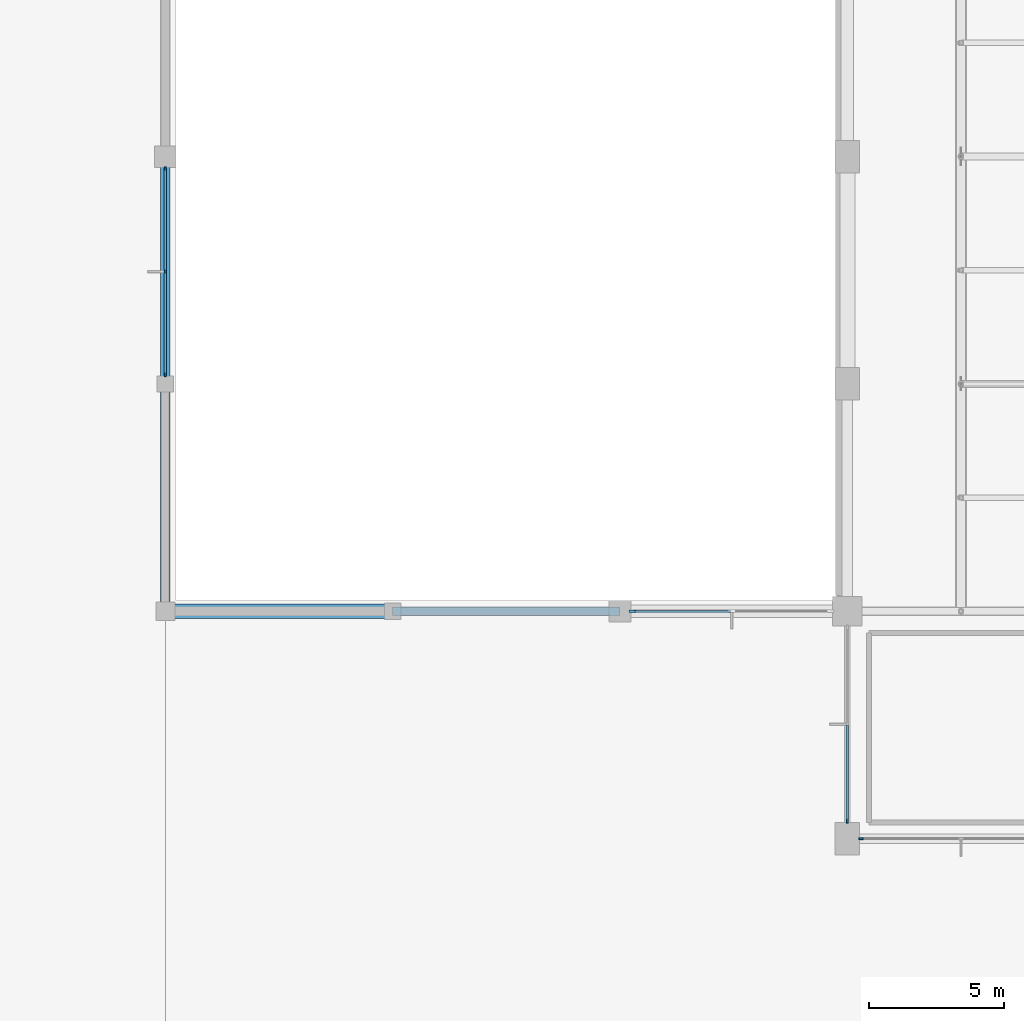
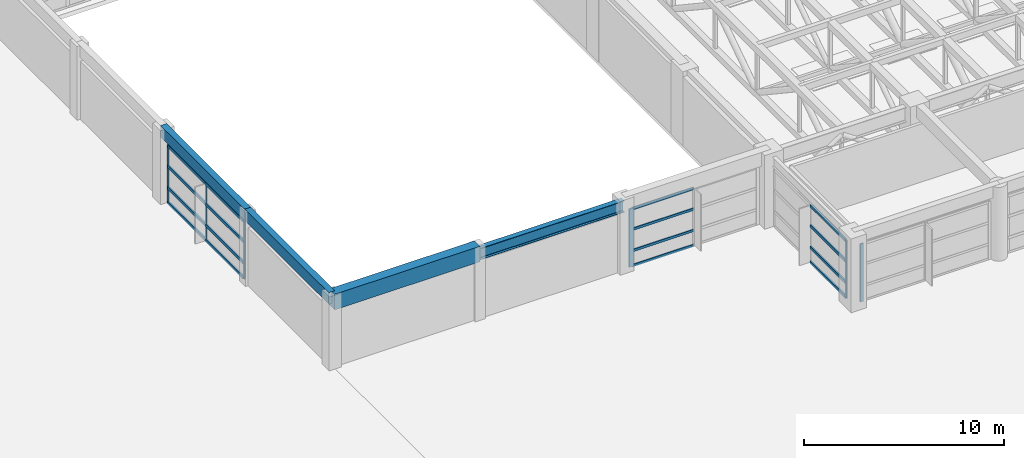
# One storey, part 8 of 47: 22 members, 4 beams, 4 elements without a shape of their own.
"""IFC4 building model written with IfcOpenShell, lengths in metres."""

from ifc_helpers import new_model, si_unit, direction, frame, origin, origin_2d, place, context, subcontext, project, spatial, rectangle, i_section, extrude, material, material_profile, profile_set, type_object, element, aggregate, save


model = new_model("IFC4")

# Units and contexts
model_context = context("Model", 3, precision=1e-05, world=origin(), true_north=direction((0.0, 1.0)))
body_context = subcontext(model_context, "Body", "Model", "MODEL_VIEW")
ifc_project = project(units=[si_unit("LENGTHUNIT", "METRE"), si_unit("AREAUNIT", "SQUARE_METRE"), si_unit("VOLUMEUNIT", "CUBIC_METRE"), si_unit("PLANEANGLEUNIT", "RADIAN"), si_unit("MASSUNIT", "GRAM", prefix="KILO")], contexts=[model_context])

# Site, building, storey
site_placement = place(None, origin())
site = spatial("IfcSite", under=ifc_project, at=site_placement, CompositionType="ELEMENT")
building_placement = place(site_placement, origin())
building = spatial("IfcBuilding", under=site, at=building_placement, Name="Xuanlan Plaza Opera House", CompositionType="ELEMENT")
storey_placement = place(building_placement, frame((0.0, 0.0, 23.39990234375)))
storey = spatial("IfcBuildingStorey", under=building, at=storey_placement, Name="L05", CompositionType="ELEMENT", Elevation=23.39990234375)

# Curtain wall, member
ifc_material_1 = material(Name="Anodised Aluminium 6063-T6 and Low-E Glass", Category="aluminium")
curtain_wall_type_1 = type_object("IfcCurtainWallType", Name="ENV-CW-CW-05", PredefinedType="USERDEFINED", material=ifc_material_1)
curtain_wall_1_placement = place(storey_placement, origin())
curtain_wall_1 = element("IfcCurtainWall", 1, at=curtain_wall_1_placement, inside=storey, type_object=curtain_wall_type_1, Name="Acoustic Glazed Wall L05-004", ObjectType="ACOUSTIC GLAZED WALL", PredefinedType="USERDEFINED")
ifc_material_2 = material(Name="Anodised Aluminium 6063-T6", Category="aluminium")
ifc_material_profile_1 = material_profile(ifc_material_2, rectangle(XDim=0.06494140625, YDim=0.159912109375, at=origin_2d()), Name="ALU-M 65x160")
ifc_profile_set_1 = profile_set([ifc_material_profile_1], Name="Anodised Aluminium 6063-T6")
member_type_1 = type_object("IfcMemberType", Name="ENV-CWM-01", PredefinedType="MULLION", material=ifc_profile_set_1)
member_1_placement = place(storey_placement, frame((67.199951171875, 34.25244140625, 0.0), z_axis=(0.0, 0.0, 1.0), x_axis=(1.0, 0.0, 0.0)))
member_1 = element("IfcMember", 2, at=member_1_placement, type_object=member_type_1, Name="CW-05 mullion 3", PredefinedType="MULLION", context=body_context, shape_type="SweptSolid", body=[
    extrude(rectangle(XDim=0.06494140625, YDim=0.159912109375, at=origin_2d()), origin(), (0.0, 0.0, 1.0), 3.5400390625),
])

# Curtain wall, members
curtain_wall_type_2 = type_object("IfcCurtainWallType", Name="ENV-CW-CW-02", PredefinedType="USERDEFINED", material=ifc_material_1)
curtain_wall_2_placement = place(storey_placement, origin())
curtain_wall_2 = element("IfcCurtainWall", 3, at=curtain_wall_2_placement, inside=storey, type_object=curtain_wall_type_2, Name="Unitised Curtain Wall L05-039", ObjectType="UNITISED CURTAIN WALL", PredefinedType="USERDEFINED")
member_2_placement = place(storey_placement, frame((42.0, 58.347412109375, 0.0), z_axis=(0.0, 0.0, 1.0), x_axis=(1.0, 0.0, 0.0)))
member_2 = element("IfcMember", 4, at=member_2_placement, type_object=member_type_1, Name="CW-02 mullion 1", PredefinedType="MULLION", context=body_context, shape_type="SweptSolid", body=[
    extrude(rectangle(XDim=0.06494140625, YDim=0.159912109375, at=origin_2d()), origin(), (0.0, 0.0, 1.0), 3.5400390625),
])
member_3_placement = place(storey_placement, frame((42.0, 54.550048828125, 0.0), z_axis=(0.0, 0.0, 1.0), x_axis=(1.0, 0.0, 0.0)))
member_3 = element("IfcMember", 5, at=member_3_placement, type_object=member_type_1, Name="CW-02 mullion 2", PredefinedType="MULLION", context=body_context, shape_type="SweptSolid", body=[
    extrude(rectangle(XDim=0.06494140625, YDim=0.159912109375, at=origin_2d()), origin(), (0.0, 0.0, 1.0), 3.5400390625),
])
member_4_placement = place(storey_placement, frame((42.0, 50.75244140625, 0.0), z_axis=(0.0, 0.0, 1.0), x_axis=(1.0, 0.0, 0.0)))
member_4 = element("IfcMember", 6, at=member_4_placement, type_object=member_type_1, Name="CW-02 mullion 3", PredefinedType="MULLION", context=body_context, shape_type="SweptSolid", body=[
    extrude(rectangle(XDim=0.06494140625, YDim=0.159912109375, at=origin_2d()), origin(), (0.0, 0.0, 1.0), 3.5400390625),
])

# Curtain wall, member
curtain_wall_type_3 = type_object("IfcCurtainWallType", Name="ENV-CW-CW-06", PredefinedType="USERDEFINED", material=ifc_material_1)
curtain_wall_3_placement = place(storey_placement, origin())
curtain_wall_3 = element("IfcCurtainWall", 7, at=curtain_wall_3_placement, inside=storey, type_object=curtain_wall_type_3, Name="Acoustic Glazed Wall L05-005", ObjectType="ACOUSTIC GLAZED WALL", PredefinedType="USERDEFINED")
ifc_material_profile_2 = material_profile(ifc_material_2, rectangle(XDim=0.070068359375, YDim=0.179931640625, at=origin_2d()), Name="ALU-M 70x180")
ifc_profile_set_2 = profile_set([ifc_material_profile_2], Name="Anodised Aluminium 6063-T6")
member_type_2 = type_object("IfcMemberType", Name="ENV-CWM-02", PredefinedType="MULLION", material=ifc_profile_set_2)
member_5_placement = place(storey_placement, frame((67.705078125, 33.60009765625, 0.0), z_axis=(0.0, 0.0, 1.0), x_axis=(0.0, 1.0, 0.0)))
member_5 = element("IfcMember", 8, at=member_5_placement, type_object=member_type_2, Name="CW-06 mullion 1", PredefinedType="MULLION", context=body_context, shape_type="SweptSolid", body=[
    extrude(rectangle(XDim=0.070068359375, YDim=0.179931640625, at=origin_2d()), origin(), (0.0, 0.0, 1.0), 3.5400390625),
])
aggregate(curtain_wall_3, [member_5])

# Curtain wall, members
curtain_wall_4_placement = place(storey_placement, origin())
curtain_wall_4 = element("IfcCurtainWall", 9, at=curtain_wall_4_placement, inside=storey, type_object=curtain_wall_type_3, Name="Acoustic Glazed Wall L05-003", ObjectType="ACOUSTIC GLAZED WALL", PredefinedType="USERDEFINED")
ifc_material_profile_3 = material_profile(ifc_material_2, rectangle(XDim=0.090087890625, YDim=0.25, at=origin_2d()), Name="ALU-M 90x250")
ifc_profile_set_3 = profile_set([ifc_material_profile_3], Name="Anodised Aluminium 6063-T6")
member_type_3 = type_object("IfcMemberType", Name="ENV-CWM-05", PredefinedType="MULLION", material=ifc_profile_set_3)
member_6_placement = place(storey_placement, frame((59.264892578125, 42.0, 0.0), z_axis=(0.0, 0.0, 1.0), x_axis=(0.0, 1.0, 0.0)))
member_6 = element("IfcMember", 10, at=member_6_placement, type_object=member_type_3, Name="CW-06 mullion 1", PredefinedType="MULLION", context=body_context, shape_type="SweptSolid", body=[
    extrude(rectangle(XDim=0.090087890625, YDim=0.25, at=origin_2d()), origin(), (0.0, 0.0, 1.0), 3.5400390625),
])
ifc_material_profile_4 = material_profile(ifc_material_2, rectangle(XDim=0.074951171875, YDim=0.14990234375, at=origin_2d()), Name="ALU-T 75x150")
ifc_profile_set_4 = profile_set([ifc_material_profile_4], Name="Anodised Aluminium 6063-T6")
member_type_4 = type_object("IfcMemberType", Name="ENV-CWT-03", PredefinedType="USERDEFINED", material=ifc_profile_set_4)
member_7_placement = place(storey_placement, frame((59.31005859375, 42.0, 0.03759765625), z_axis=(1.0, 0.0, 0.0), x_axis=(0.0, 1.0, 0.0)))
member_7 = element("IfcMember", 11, at=member_7_placement, type_object=member_type_4, Name="CW-06 transom 1.1", ObjectType="TRANSOM", PredefinedType="USERDEFINED", context=body_context, shape_type="SweptSolid", body=[
    extrude(rectangle(XDim=0.074951171875, YDim=0.14990234375, at=origin_2d()), origin(), (0.0, 0.0, 1.0), 3.56982421875),
])
member_8_placement = place(storey_placement, frame((59.31005859375, 42.0, 0.9501953125), z_axis=(1.0, 0.0, 0.0), x_axis=(0.0, 1.0, 0.0)))
member_8 = element("IfcMember", 12, at=member_8_placement, type_object=member_type_4, Name="CW-06 transom 1.2", ObjectType="TRANSOM", PredefinedType="USERDEFINED", context=body_context, shape_type="SweptSolid", body=[
    extrude(rectangle(XDim=0.074951171875, YDim=0.14990234375, at=origin_2d()), origin(), (0.0, 0.0, 1.0), 3.56982421875),
])
member_9_placement = place(storey_placement, frame((59.31005859375, 42.0, 2.25), z_axis=(1.0, 0.0, 0.0), x_axis=(0.0, 1.0, 0.0)))
member_9 = element("IfcMember", 13, at=member_9_placement, type_object=member_type_4, Name="CW-06 transom 1.3", ObjectType="TRANSOM", PredefinedType="USERDEFINED", context=body_context, shape_type="SweptSolid", body=[
    extrude(rectangle(XDim=0.074951171875, YDim=0.14990234375, at=origin_2d()), origin(), (0.0, 0.0, 1.0), 3.56982421875),
])
member_10_placement = place(storey_placement, frame((59.31005859375, 42.0, 3.502685546875), z_axis=(1.0, 0.0, 0.0), x_axis=(0.0, 1.0, 0.0)))
member_10 = element("IfcMember", 14, at=member_10_placement, type_object=member_type_4, Name="CW-06 transom 1.4", ObjectType="TRANSOM", PredefinedType="USERDEFINED", context=body_context, shape_type="SweptSolid", body=[
    extrude(rectangle(XDim=0.074951171875, YDim=0.14990234375, at=origin_2d()), origin(), (0.0, 0.0, 1.0), 3.56982421875),
])
aggregate(curtain_wall_4, [member_6, member_7, member_8, member_9, member_10])

# Member
ifc_material_profile_5 = material_profile(ifc_material_2, rectangle(XDim=0.090087890625, YDim=0.179931640625, at=origin_2d()), Name="ALU-T 90x180")
ifc_profile_set_5 = profile_set([ifc_material_profile_5], Name="Anodised Aluminium 6063-T6")
member_type_5 = type_object("IfcMemberType", Name="ENV-CWT-05", PredefinedType="USERDEFINED", material=ifc_profile_set_5)
member_11_placement = place(storey_placement, frame((67.199951171875, 37.79248046875, 0.045166015625), z_axis=(0.0, -1.0, 0.0), x_axis=(1.0, 0.0, 0.0)))
member_11 = element("IfcMember", 15, at=member_11_placement, type_object=member_type_5, Name="CW-05 transom 2.1", ObjectType="TRANSOM", PredefinedType="USERDEFINED", context=body_context, shape_type="SweptSolid", body=[
    extrude(rectangle(XDim=0.090087890625, YDim=0.179931640625, at=origin_2d()), origin(), (0.0, 0.0, 1.0), 3.507568359375),
])

member_12_placement = place(storey_placement, frame((67.199951171875, 37.79248046875, 0.9501953125), z_axis=(0.0, -1.0, 0.0), x_axis=(1.0, 0.0, 0.0)))
member_12 = element("IfcMember", 16, at=member_12_placement, type_object=member_type_5, Name="CW-05 transom 2.2", ObjectType="TRANSOM", PredefinedType="USERDEFINED", context=body_context, shape_type="SweptSolid", body=[
    extrude(rectangle(XDim=0.090087890625, YDim=0.179931640625, at=origin_2d()), origin(), (0.0, 0.0, 1.0), 3.507568359375),
])

member_13_placement = place(storey_placement, frame((67.199951171875, 37.79248046875, 2.25), z_axis=(0.0, -1.0, 0.0), x_axis=(1.0, 0.0, 0.0)))
member_13 = element("IfcMember", 17, at=member_13_placement, type_object=member_type_5, Name="CW-05 transom 2.3", ObjectType="TRANSOM", PredefinedType="USERDEFINED", context=body_context, shape_type="SweptSolid", body=[
    extrude(rectangle(XDim=0.090087890625, YDim=0.179931640625, at=origin_2d()), origin(), (0.0, 0.0, 1.0), 3.507568359375),
])

member_14_placement = place(storey_placement, frame((67.199951171875, 37.79248046875, 3.4951171875), z_axis=(0.0, -1.0, 0.0), x_axis=(1.0, 0.0, 0.0)))
member_14 = element("IfcMember", 18, at=member_14_placement, type_object=member_type_5, Name="CW-05 transom 2.4", ObjectType="TRANSOM", PredefinedType="USERDEFINED", context=body_context, shape_type="SweptSolid", body=[
    extrude(rectangle(XDim=0.090087890625, YDim=0.179931640625, at=origin_2d()), origin(), (0.0, 0.0, 1.0), 3.507568359375),
])

aggregate(curtain_wall_1, [member_1, member_11, member_12, member_13, member_14])

member_15_placement = place(storey_placement, frame((42.0, 58.31494140625, 0.045166015625), z_axis=(0.0, -1.0, 0.0), x_axis=(1.0, 0.0, 0.0)))
member_15 = element("IfcMember", 19, at=member_15_placement, type_object=member_type_5, Name="CW-02 transom 1.1", ObjectType="TRANSOM", PredefinedType="USERDEFINED", context=body_context, shape_type="SweptSolid", body=[
    extrude(rectangle(XDim=0.090087890625, YDim=0.179931640625, at=origin_2d()), origin(), (0.0, 0.0, 1.0), 3.732421875),
])

member_16_placement = place(storey_placement, frame((42.0, 58.31494140625, 0.9501953125), z_axis=(0.0, -1.0, 0.0), x_axis=(1.0, 0.0, 0.0)))
member_16 = element("IfcMember", 20, at=member_16_placement, type_object=member_type_5, Name="CW-02 transom 1.2", ObjectType="TRANSOM", PredefinedType="USERDEFINED", context=body_context, shape_type="SweptSolid", body=[
    extrude(rectangle(XDim=0.090087890625, YDim=0.179931640625, at=origin_2d()), origin(), (0.0, 0.0, 1.0), 3.732421875),
])

member_17_placement = place(storey_placement, frame((42.0, 58.31494140625, 2.25), z_axis=(0.0, -1.0, 0.0), x_axis=(1.0, 0.0, 0.0)))
member_17 = element("IfcMember", 21, at=member_17_placement, type_object=member_type_5, Name="CW-02 transom 1.3", ObjectType="TRANSOM", PredefinedType="USERDEFINED", context=body_context, shape_type="SweptSolid", body=[
    extrude(rectangle(XDim=0.090087890625, YDim=0.179931640625, at=origin_2d()), origin(), (0.0, 0.0, 1.0), 3.732421875),
])

member_18_placement = place(storey_placement, frame((42.0, 58.31494140625, 3.4951171875), z_axis=(0.0, -1.0, 0.0), x_axis=(1.0, 0.0, 0.0)))
member_18 = element("IfcMember", 22, at=member_18_placement, type_object=member_type_5, Name="CW-02 transom 1.4", ObjectType="TRANSOM", PredefinedType="USERDEFINED", context=body_context, shape_type="SweptSolid", body=[
    extrude(rectangle(XDim=0.090087890625, YDim=0.179931640625, at=origin_2d()), origin(), (0.0, 0.0, 1.0), 3.732421875),
])

member_19_placement = place(storey_placement, frame((42.0, 54.517578125, 0.045166015625), z_axis=(0.0, -1.0, 0.0), x_axis=(1.0, 0.0, 0.0)))
member_19 = element("IfcMember", 23, at=member_19_placement, type_object=member_type_5, Name="CW-02 transom 2.1", ObjectType="TRANSOM", PredefinedType="USERDEFINED", context=body_context, shape_type="SweptSolid", body=[
    extrude(rectangle(XDim=0.090087890625, YDim=0.179931640625, at=origin_2d()), origin(), (0.0, 0.0, 1.0), 3.732666015625),
])

member_20_placement = place(storey_placement, frame((42.0, 54.517578125, 0.9501953125), z_axis=(0.0, -1.0, 0.0), x_axis=(1.0, 0.0, 0.0)))
member_20 = element("IfcMember", 24, at=member_20_placement, type_object=member_type_5, Name="CW-02 transom 2.2", ObjectType="TRANSOM", PredefinedType="USERDEFINED", context=body_context, shape_type="SweptSolid", body=[
    extrude(rectangle(XDim=0.090087890625, YDim=0.179931640625, at=origin_2d()), origin(), (0.0, 0.0, 1.0), 3.732666015625),
])

member_21_placement = place(storey_placement, frame((42.0, 54.517578125, 2.25), z_axis=(0.0, -1.0, 0.0), x_axis=(1.0, 0.0, 0.0)))
member_21 = element("IfcMember", 25, at=member_21_placement, type_object=member_type_5, Name="CW-02 transom 2.3", ObjectType="TRANSOM", PredefinedType="USERDEFINED", context=body_context, shape_type="SweptSolid", body=[
    extrude(rectangle(XDim=0.090087890625, YDim=0.179931640625, at=origin_2d()), origin(), (0.0, 0.0, 1.0), 3.732666015625),
])

member_22_placement = place(storey_placement, frame((42.0, 54.517578125, 3.4951171875), z_axis=(0.0, -1.0, 0.0), x_axis=(1.0, 0.0, 0.0)))
member_22 = element("IfcMember", 26, at=member_22_placement, type_object=member_type_5, Name="CW-02 transom 2.4", ObjectType="TRANSOM", PredefinedType="USERDEFINED", context=body_context, shape_type="SweptSolid", body=[
    extrude(rectangle(XDim=0.090087890625, YDim=0.179931640625, at=origin_2d()), origin(), (0.0, 0.0, 1.0), 3.732666015625),
])

aggregate(curtain_wall_2, [member_2, member_3, member_4, member_15, member_16, member_17, member_18, member_19, member_20, member_21, member_22])

# Beams
ifc_material_3 = material(Name="Concrete C50", Category="concrete")
ifc_material_profile_6 = material_profile(ifc_material_3, rectangle(XDim=0.550048828125, YDim=0.949951171875, at=origin_2d()), Name="RC-BM 550x950")
ifc_profile_set_6 = profile_set([ifc_material_profile_6], Name="Concrete C50")
beam_type_1 = type_object("IfcBeamType", Name="STR-BM-B-02", PredefinedType="BEAM", material=ifc_profile_set_6)
beam_1_placement = place(storey_placement, frame((42.0, 42.0, 4.025146484375), z_axis=(1.0, 0.0, 0.0), x_axis=(0.0, 1.0, 0.0)))
element("IfcBeam", 27, at=beam_1_placement, inside=storey, type_object=beam_type_1, Name="Grid Beam X L05 6-7/F", PredefinedType="BEAM", context=body_context, shape_type="SweptSolid", body=[
    extrude(rectangle(XDim=0.550048828125, YDim=0.949951171875, at=origin_2d()), origin(), (0.0, 0.0, 1.0), 8.39990234375),
])
ifc_material_4 = material(Name="Steel Q355B", Category="steel")
ifc_material_profile_7 = material_profile(ifc_material_4, i_section(OverallWidth=0.300048828125, OverallDepth=0.699951171875, WebThickness=0.012939453125, FlangeThickness=0.02392578125, FilletRadius=0.02392578125, at=origin_2d()), Name="HN 700x300x13x24")
ifc_profile_set_7 = profile_set([ifc_material_profile_7], Name="Steel Q355B")
beam_type_2 = type_object("IfcBeamType", Name="STR-BM-SB-03", PredefinedType="BEAM", material=ifc_profile_set_7)
beam_2_placement = place(storey_placement, frame((50.39990234375, 42.0, 3.905029296875), z_axis=(1.0, 0.0, 0.0), x_axis=(0.0, 1.0, 0.0)))
element("IfcBeam", 28, at=beam_2_placement, inside=storey, type_object=beam_type_2, Name="Grid Beam X L05 7-8/F", PredefinedType="BEAM", context=body_context, shape_type="SweptSolid", body=[
    extrude(i_section(OverallWidth=0.300048828125, OverallDepth=0.699951171875, WebThickness=0.012939453125, FlangeThickness=0.02392578125, FilletRadius=0.02392578125, at=origin_2d()), origin(), (0.0, 0.0, 1.0), 8.400146484375),
])
ifc_material_5 = material(Name="Concrete C40", Category="concrete")
ifc_material_profile_8 = material_profile(ifc_material_5, rectangle(XDim=0.35009765625, YDim=0.699951171875, at=origin_2d()), Name="RC-SPD 350x700")
ifc_profile_set_8 = profile_set([ifc_material_profile_8], Name="Concrete C40")
beam_type_3 = type_object("IfcBeamType", Name="STR-BM-SP-02", PredefinedType="SPANDREL", material=ifc_profile_set_8)
beam_3_placement = place(storey_placement, frame((42.0, 42.0, 4.150146484375), z_axis=(0.0, 1.0, 0.0), x_axis=(-1.0, 0.0, 0.0)))
element("IfcBeam", 29, at=beam_3_placement, inside=storey, type_object=beam_type_3, Name="Grid Beam Y L05 6/F-G", PredefinedType="SPANDREL", context=body_context, shape_type="SweptSolid", body=[
    extrude(rectangle(XDim=0.35009765625, YDim=0.699951171875, at=origin_2d()), origin(), (0.0, 0.0, 1.0), 8.39990234375),
])
beam_4_placement = place(storey_placement, frame((42.0, 50.39990234375, 4.150146484375), z_axis=(0.0, 1.0, 0.0), x_axis=(-1.0, 0.0, 0.0)))
element("IfcBeam", 30, at=beam_4_placement, inside=storey, type_object=beam_type_3, Name="Grid Beam Y L05 6/G-H", PredefinedType="SPANDREL", context=body_context, shape_type="SweptSolid", body=[
    extrude(rectangle(XDim=0.35009765625, YDim=0.699951171875, at=origin_2d()), origin(), (0.0, 0.0, 1.0), 8.400146484375),
])

save(model, "model.ifc")
